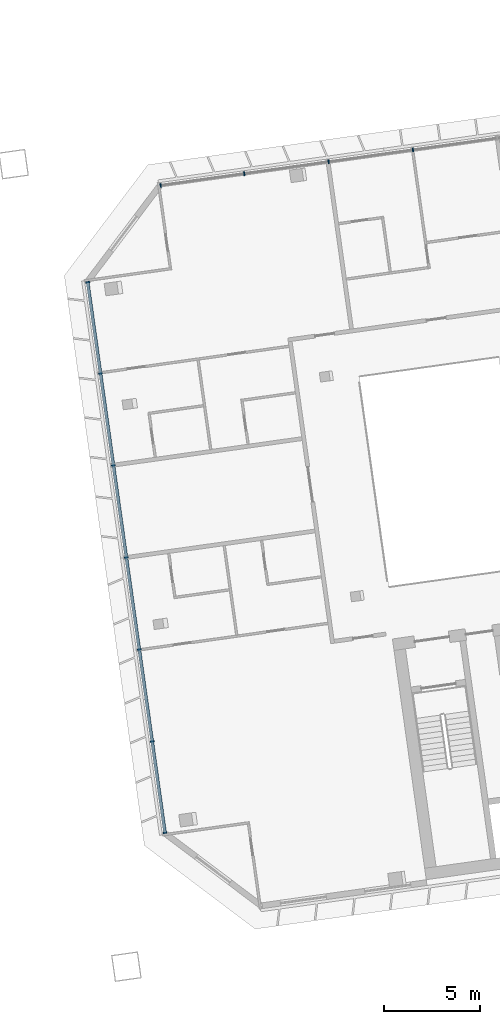
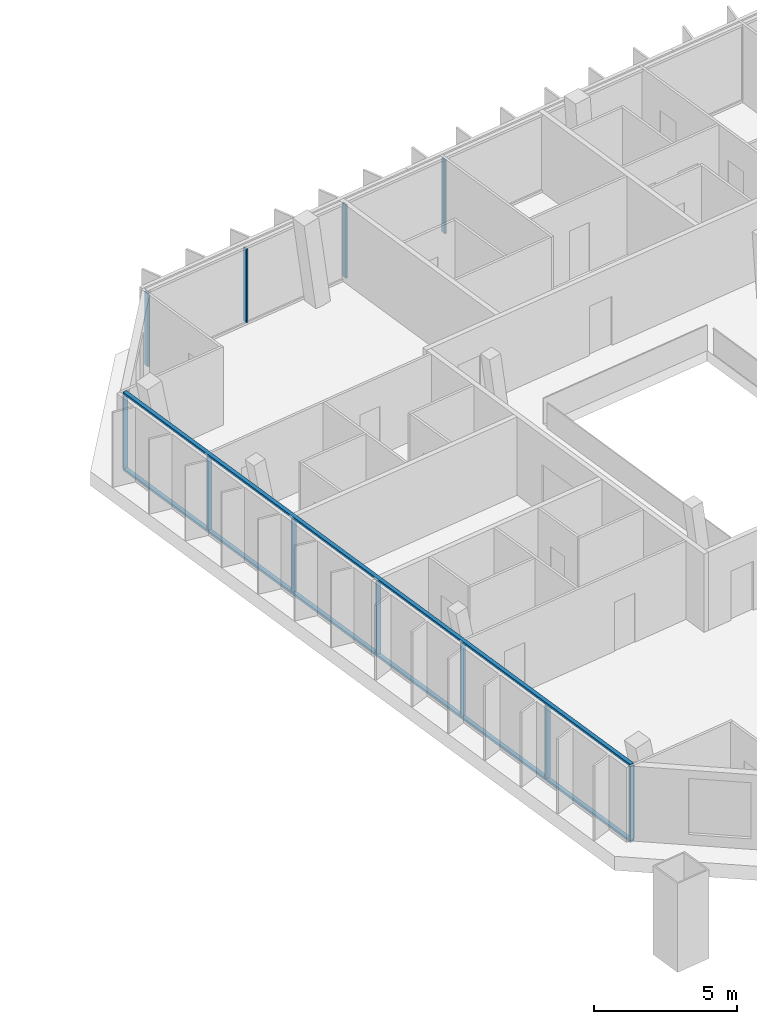
# One storey, part 10 of 26: 13 members, 2 elements without a shape of their own.
"""IFC4 building model written with IfcOpenShell, lengths in metres."""

from ifc_helpers import new_model, si_unit, direction, frame, origin, origin_2d, place, context, subcontext, project, spatial, rectangle, extrude, material, material_profile, profile_set, type_object, element, aggregate, save


model = new_model("IFC4")

# Units and contexts
model_context = context("Model", 3, precision=1e-05, world=origin(), true_north=direction((0.0, 1.0)))
body_context = subcontext(model_context, "Body", "Model", "MODEL_VIEW")
ifc_project = project(units=[si_unit("LENGTHUNIT", "METRE"), si_unit("AREAUNIT", "SQUARE_METRE"), si_unit("VOLUMEUNIT", "CUBIC_METRE"), si_unit("PLANEANGLEUNIT", "RADIAN"), si_unit("MASSUNIT", "GRAM", prefix="KILO")], contexts=[model_context])

# Site, building, storey
site_placement = place(None, origin())
site = spatial("IfcSite", under=ifc_project, at=site_placement, CompositionType="ELEMENT")
building_placement = place(site_placement, origin())
building = spatial("IfcBuilding", under=site, at=building_placement, Name="Mirante Cascada Hotel Towers", CompositionType="ELEMENT")
storey_placement = place(building_placement, frame((0.0, 0.0, 235.6)))
storey = spatial("IfcBuildingStorey", under=building, at=storey_placement, Name="L56", CompositionType="ELEMENT", Elevation=235.6)

# Curtain wall, members
ifc_material_1 = material(Name="Aluminium mullion and transom frame with clear laminated glass", Category="aluminium")
curtain_wall_type_1 = type_object("IfcCurtainWallType", Name="Ribbon curtain wall ECW1", PredefinedType="NOTDEFINED", material=ifc_material_1)
curtain_wall_1_placement = place(storey_placement, origin())
curtain_wall_1 = element("IfcCurtainWall", 1, at=curtain_wall_1_placement, inside=storey, type_object=curtain_wall_type_1, Name="Front ribbon wall T2 L56", PredefinedType="NOTDEFINED")
ifc_material_2 = material(Name="Anodised aluminium extrusion", Category="aluminium")
ifc_material_profile_1 = material_profile(ifc_material_2, rectangle(XDim=0.2, YDim=0.065, at=origin_2d()), Name="ECW1 MULLION 65x200")
ifc_profile_set_1 = profile_set([ifc_material_profile_1], Name="Anodised aluminium extrusion")
member_type_1 = type_object("IfcMemberType", Name="ECW1 mullion 65x200", PredefinedType="MULLION", material=ifc_profile_set_1)
member_1_placement = place(storey_placement, frame((36.6643, 17.9718, 0.1), z_axis=(0.0, 0.0, 1.0), x_axis=(0.1391731, -0.9902681, 0.0)))
member_1 = element("IfcMember", 2, at=member_1_placement, type_object=member_type_1, Name="ECW1 mullion 6", PredefinedType="MULLION", context=body_context, shape_type="SweptSolid", body=[
    extrude(rectangle(XDim=0.2, YDim=0.065, at=origin_2d()), origin(), (0.0, 0.0, 1.0), 3.15),
])
member_2_placement = place(storey_placement, frame((32.2954, 17.3578, 0.1), z_axis=(0.0, 0.0, 1.0), x_axis=(0.1391731, -0.9902681, 0.0)))
member_2 = element("IfcMember", 3, at=member_2_placement, type_object=member_type_1, Name="ECW1 mullion 7", PredefinedType="MULLION", context=body_context, shape_type="SweptSolid", body=[
    extrude(rectangle(XDim=0.2, YDim=0.065, at=origin_2d()), origin(), (0.0, 0.0, 1.0), 3.15),
])
member_3_placement = place(storey_placement, frame((27.9266, 16.7438, 0.1), z_axis=(0.0, 0.0, 1.0), x_axis=(0.1391731, -0.9902681, 0.0)))
member_3 = element("IfcMember", 4, at=member_3_placement, type_object=member_type_1, Name="ECW1 mullion 8", PredefinedType="MULLION", context=body_context, shape_type="SweptSolid", body=[
    extrude(rectangle(XDim=0.2, YDim=0.065, at=origin_2d()), origin(), (0.0, 0.0, 1.0), 3.15),
])
member_4_placement = place(storey_placement, frame((23.5899, 16.1344, 0.1), z_axis=(0.0, 0.0, 1.0), x_axis=(0.1391731, -0.9902681, 0.0)))
member_4 = element("IfcMember", 5, at=member_4_placement, type_object=member_type_1, Name="ECW1 mullion 9", PredefinedType="MULLION", context=body_context, shape_type="SweptSolid", body=[
    extrude(rectangle(XDim=0.2, YDim=0.065, at=origin_2d()), origin(), (0.0, 0.0, 1.0), 3.15),
])
aggregate(curtain_wall_1, [member_1, member_2, member_3, member_4])

ifc_material_3 = material(Name="Aluminium mullion and transom frame with clear laminated glass", Category="aluminium")
curtain_wall_type_2 = type_object("IfcCurtainWallType", Name="End ribbon curtain wall ECW2", PredefinedType="NOTDEFINED", material=ifc_material_3)
curtain_wall_2_placement = place(storey_placement, origin())
curtain_wall_2 = element("IfcCurtainWall", 6, at=curtain_wall_2_placement, inside=storey, type_object=curtain_wall_type_2, Name="Inner end wall T2 L56", PredefinedType="NOTDEFINED")
ifc_material_4 = material(Name="Anodised aluminium extrusion", Category="aluminium")
ifc_material_profile_2 = material_profile(ifc_material_4, rectangle(XDim=0.2, YDim=0.065, at=origin_2d()), Name="ECW2 MULLION 65x200")
ifc_profile_set_2 = profile_set([ifc_material_profile_2], Name="Anodised aluminium extrusion")
member_type_2 = type_object("IfcMemberType", Name="ECW2 mullion 65x200", PredefinedType="MULLION", material=ifc_profile_set_2)
member_5_placement = place(storey_placement, frame((19.8071, 11.1144, 0.1), z_axis=(0.0, 0.0, 1.0), x_axis=(0.9902681, 0.1391731, 0.0)))
member_5 = element("IfcMember", 7, at=member_5_placement, type_object=member_type_2, Name="ECW2 mullion 1", PredefinedType="MULLION", context=body_context, shape_type="SweptSolid", body=[
    extrude(rectangle(XDim=0.2, YDim=0.065, at=origin_2d()), origin(), (0.0, 0.0, 1.0), 3.15),
])
member_6_placement = place(storey_placement, frame((20.4724, 6.3808, 0.1), z_axis=(0.0, 0.0, 1.0), x_axis=(0.9902681, 0.1391731, 0.0)))
member_6 = element("IfcMember", 8, at=member_6_placement, type_object=member_type_2, Name="ECW2 mullion 2", PredefinedType="MULLION", context=body_context, shape_type="SweptSolid", body=[
    extrude(rectangle(XDim=0.2, YDim=0.065, at=origin_2d()), origin(), (0.0, 0.0, 1.0), 3.15),
])
member_7_placement = place(storey_placement, frame((21.1421, 1.615, 0.1), z_axis=(0.0, 0.0, 1.0), x_axis=(0.9902681, 0.1391731, 0.0)))
member_7 = element("IfcMember", 9, at=member_7_placement, type_object=member_type_2, Name="ECW2 mullion 3", PredefinedType="MULLION", context=body_context, shape_type="SweptSolid", body=[
    extrude(rectangle(XDim=0.2, YDim=0.065, at=origin_2d()), origin(), (0.0, 0.0, 1.0), 3.15),
])
member_8_placement = place(storey_placement, frame((21.8119, -3.1508, 0.1), z_axis=(0.0, 0.0, 1.0), x_axis=(0.9902681, 0.1391731, 0.0)))
member_8 = element("IfcMember", 10, at=member_8_placement, type_object=member_type_2, Name="ECW2 mullion 4", PredefinedType="MULLION", context=body_context, shape_type="SweptSolid", body=[
    extrude(rectangle(XDim=0.2, YDim=0.065, at=origin_2d()), origin(), (0.0, 0.0, 1.0), 3.15),
])
member_9_placement = place(storey_placement, frame((22.4817, -7.9165, 0.1), z_axis=(0.0, 0.0, 1.0), x_axis=(0.9902681, 0.1391731, 0.0)))
member_9 = element("IfcMember", 11, at=member_9_placement, type_object=member_type_2, Name="ECW2 mullion 5", PredefinedType="MULLION", context=body_context, shape_type="SweptSolid", body=[
    extrude(rectangle(XDim=0.2, YDim=0.065, at=origin_2d()), origin(), (0.0, 0.0, 1.0), 3.15),
])
member_10_placement = place(storey_placement, frame((23.1515, -12.6823, 0.1), z_axis=(0.0, 0.0, 1.0), x_axis=(0.9902681, 0.1391731, 0.0)))
member_10 = element("IfcMember", 12, at=member_10_placement, type_object=member_type_2, Name="ECW2 mullion 6", PredefinedType="MULLION", context=body_context, shape_type="SweptSolid", body=[
    extrude(rectangle(XDim=0.2, YDim=0.065, at=origin_2d()), origin(), (0.0, 0.0, 1.0), 3.15),
])
member_11_placement = place(storey_placement, frame((23.8168, -17.4159, 0.1), z_axis=(0.0, 0.0, 1.0), x_axis=(0.9902681, 0.1391731, 0.0)))
member_11 = element("IfcMember", 13, at=member_11_placement, type_object=member_type_2, Name="ECW2 mullion 7", PredefinedType="MULLION", context=body_context, shape_type="SweptSolid", body=[
    extrude(rectangle(XDim=0.2, YDim=0.065, at=origin_2d()), origin(), (0.0, 0.0, 1.0), 3.15),
])
ifc_material_5 = material(Name="Anodised aluminium extrusion", Category="aluminium")
ifc_material_profile_3 = material_profile(ifc_material_5, rectangle(XDim=0.16, YDim=0.1, at=origin_2d()), Name="ECW2 TRANSOM 100x160")
ifc_profile_set_3 = profile_set([ifc_material_profile_3], Name="Anodised aluminium extrusion")
member_type_3 = type_object("IfcMemberType", Name="ECW2 transom 100x160", PredefinedType="USERDEFINED", material=ifc_profile_set_3)
member_12_placement = place(storey_placement, frame((19.8026, 11.1466, 0.05), z_axis=(0.1391723, -0.9902682, 0.0), x_axis=(0.9902682, 0.1391723, 0.0)))
member_12 = element("IfcMember", 14, at=member_12_placement, type_object=member_type_3, Name="ECW2 sill transom", ObjectType="TRANSOM", PredefinedType="USERDEFINED", context=body_context, shape_type="SweptSolid", body=[
    extrude(rectangle(XDim=0.16, YDim=0.1, at=origin_2d()), origin(), (0.0, 0.0, 1.0), 28.8757),
])
member_13_placement = place(storey_placement, frame((19.8026, 11.1466, 3.3), z_axis=(0.1391723, -0.9902682, 0.0), x_axis=(0.9902682, 0.1391723, 0.0)))
member_13 = element("IfcMember", 15, at=member_13_placement, type_object=member_type_3, Name="ECW2 head transom", ObjectType="TRANSOM", PredefinedType="USERDEFINED", context=body_context, shape_type="SweptSolid", body=[
    extrude(rectangle(XDim=0.16, YDim=0.1, at=origin_2d()), origin(), (0.0, 0.0, 1.0), 28.8757),
])
aggregate(curtain_wall_2, [member_12, member_13, member_5, member_6, member_7, member_8, member_9, member_10, member_11])

save(model, "model.ifc")
